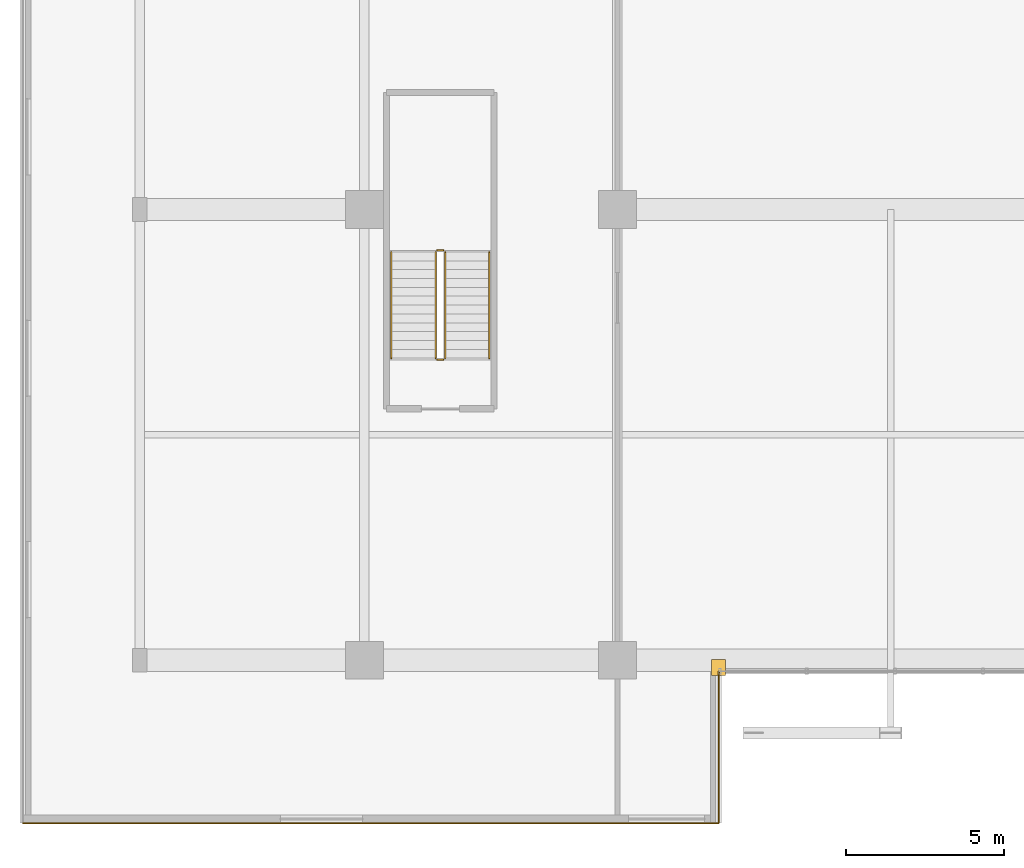
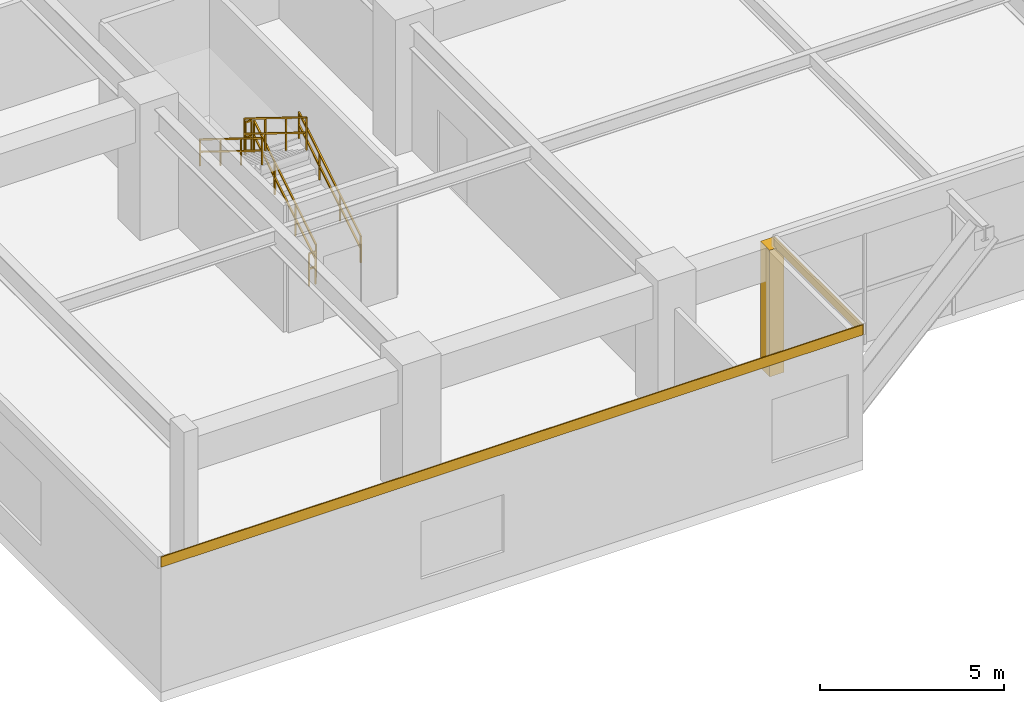
# One storey, part 19 of 24: 6 railings, 3 coverings.
"""IFC4 building model written with IfcOpenShell, lengths in metres."""

from ifc_helpers import new_model, si_unit, direction, frame, origin, origin_2d, place, context, subcontext, project, spatial, rectangle, extrude, source, transform, mapped, material, layer, layer_set, type_object, element, save


model = new_model("IFC4")

# Units and contexts
model_context = context("Model", 3, precision=1e-05, world=origin(), true_north=direction((0.0, 1.0)))
body_context = subcontext(model_context, "Body", "Model", "MODEL_VIEW")
ifc_project = project(units=[si_unit("LENGTHUNIT", "METRE"), si_unit("AREAUNIT", "SQUARE_METRE"), si_unit("VOLUMEUNIT", "CUBIC_METRE"), si_unit("PLANEANGLEUNIT", "RADIAN"), si_unit("MASSUNIT", "GRAM", prefix="KILO")], contexts=[model_context])

# Site, building, storey
site_placement = place(None, origin())
site = spatial("IfcSite", under=ifc_project, at=site_placement, CompositionType="ELEMENT")
building_placement = place(site_placement, origin())
building = spatial("IfcBuilding", under=site, at=building_placement, Name="Trelvane Seafront Commons", CompositionType="ELEMENT")
storey_placement = place(building_placement, frame((0.0, 0.0, 5.199951171875)))
storey = spatial("IfcBuildingStorey", under=building, at=storey_placement, Name="L01", CompositionType="ELEMENT", Elevation=5.199951171875)

# Railings
ifc_material_1 = material(Name="Stainless steel balustrade", Category="steel")
railing_type_1 = type_object("IfcRailingType", Name="ARCH-SRL-GUARD", PredefinedType="GUARDRAIL", material=ifc_material_1)
railing_1_placement = place(storey_placement, frame((10.14990234375, 13.5, 0.173095703125)))
element("IfcRailing", 1, at=railing_1_placement, inside=storey, type_object=railing_type_1, Name="L01 ST-3 stair guard 1", PredefinedType="GUARDRAIL", context=body_context, shape_type="SweptSolid", body=[
    extrude(rectangle(XDim=0.048095703125, YDim=0.048095703125, at=origin_2d()), frame((0.0, 0.0, 1.076171875), z_axis=(0.0, 0.850623216509, 0.525775754039), x_axis=(-1.0, 0.0, 0.0)), (0.0, 0.0, 1.0), 3.9501953125),
    extrude(rectangle(XDim=0.048095703125, YDim=0.048095703125, at=origin_2d()), frame((0.0, 0.0, 0.572021484375), z_axis=(0.0, 0.850623216509, 0.525775754039), x_axis=(-1.0, 0.0, 0.0)), (0.0, 0.0, 1.0), 3.9501953125),
    extrude(rectangle(XDim=0.0419921875, YDim=0.0419921875, at=origin_2d()), origin(), (0.0, 0.0, 1.0), 1.076171875),
    extrude(rectangle(XDim=0.0419921875, YDim=0.0419921875, at=origin_2d()), frame((0.0, 1.1201171875, 0.6923828125)), (0.0, 0.0, 1.0), 1.076171875),
    extrude(rectangle(XDim=0.0419921875, YDim=0.0419921875, at=origin_2d()), frame((0.0, 2.239990234375, 1.384521484375)), (0.0, 0.0, 1.0), 1.076171875),
    extrude(rectangle(XDim=0.0419921875, YDim=0.0419921875, at=origin_2d()), frame((0.0, 3.360107421875, 2.076904296875)), (0.0, 0.0, 1.0), 1.076171875),
])
railing_2_placement = place(storey_placement, frame((10.10009765625, 16.909912109375, 2.25)))
element("IfcRailing", 2, at=railing_2_placement, inside=storey, type_object=railing_type_1, Name="L01 ST-3 stair guard 2", PredefinedType="GUARDRAIL", context=body_context, shape_type="SweptSolid", body=[
    extrude(rectangle(XDim=0.048095703125, YDim=0.048095703125, at=origin_2d()), frame((0.0, 0.0, 1.076171875), z_axis=(-1.0, 0.0, 0.0), x_axis=(0.0, -1.0, 0.0)), (0.0, 0.0, 1.0), 0.2001953125),
    extrude(rectangle(XDim=0.048095703125, YDim=0.048095703125, at=origin_2d()), frame((0.0, 0.0, 0.572021484375), z_axis=(-1.0, 0.0, 0.0), x_axis=(0.0, -1.0, 0.0)), (0.0, 0.0, 1.0), 0.2001953125),
    extrude(rectangle(XDim=0.0419921875, YDim=0.0419921875, at=origin_2d()), origin(), (0.0, 0.0, 1.0), 1.076171875),
    extrude(rectangle(XDim=0.0419921875, YDim=0.0419921875, at=origin_2d()), frame((-0.2001953125, 0.0, 0.0)), (0.0, 0.0, 1.0), 1.076171875),
])
railing_3_placement = place(storey_placement, frame((9.85009765625, 16.860107421875, 2.423095703125)))
element("IfcRailing", 3, at=railing_3_placement, inside=storey, type_object=railing_type_1, Name="L01 ST-3 stair guard 3", PredefinedType="GUARDRAIL", context=body_context, shape_type="SweptSolid", body=[
    extrude(rectangle(XDim=0.048095703125, YDim=0.048095703125, at=origin_2d()), frame((0.0, 0.0, 1.076171875), z_axis=(0.0, -0.850623216509, 0.525775754039), x_axis=(1.0, 0.0, 0.0)), (0.0, 0.0, 1.0), 3.9501953125),
    extrude(rectangle(XDim=0.048095703125, YDim=0.048095703125, at=origin_2d()), frame((0.0, 0.0, 0.572021484375), z_axis=(0.0, -0.850623216509, 0.525775754039), x_axis=(1.0, 0.0, 0.0)), (0.0, 0.0, 1.0), 3.9501953125),
    extrude(rectangle(XDim=0.0419921875, YDim=0.0419921875, at=origin_2d()), origin(), (0.0, 0.0, 1.0), 1.076171875),
    extrude(rectangle(XDim=0.0419921875, YDim=0.0419921875, at=origin_2d()), frame((0.0, -1.1201171875, 0.6923828125)), (0.0, 0.0, 1.0), 1.076171875),
    extrude(rectangle(XDim=0.0419921875, YDim=0.0419921875, at=origin_2d()), frame((0.0, -2.239990234375, 1.384521484375)), (0.0, 0.0, 1.0), 1.076171875),
    extrude(rectangle(XDim=0.0419921875, YDim=0.0419921875, at=origin_2d()), frame((0.0, -3.360107421875, 2.076904296875)), (0.0, 0.0, 1.0), 1.076171875),
])
railing_4_placement = place(storey_placement, frame((10.10009765625, 13.449951171875, 0.0)))
element("IfcRailing", 4, at=railing_4_placement, inside=storey, type_object=railing_type_1, Name="L01 ST-3 stair guard 4", PredefinedType="GUARDRAIL", context=body_context, shape_type="SweptSolid", body=[
    extrude(rectangle(XDim=0.048095703125, YDim=0.048095703125, at=origin_2d()), frame((0.0, 0.0, 1.076171875), z_axis=(-1.0, 0.0, 0.0), x_axis=(0.0, -1.0, 0.0)), (0.0, 0.0, 1.0), 0.2001953125),
    extrude(rectangle(XDim=0.048095703125, YDim=0.048095703125, at=origin_2d()), frame((0.0, 0.0, 0.572021484375), z_axis=(-1.0, 0.0, 0.0), x_axis=(0.0, -1.0, 0.0)), (0.0, 0.0, 1.0), 0.2001953125),
    extrude(rectangle(XDim=0.0419921875, YDim=0.0419921875, at=origin_2d()), origin(), (0.0, 0.0, 1.0), 1.076171875),
    extrude(rectangle(XDim=0.0419921875, YDim=0.0419921875, at=origin_2d()), frame((-0.2001953125, 0.0, 0.0)), (0.0, 0.0, 1.0), 1.076171875),
])
railing_type_2 = type_object("IfcRailingType", Name="ARCH-SRL-HAND", PredefinedType="HANDRAIL", material=ifc_material_1)
railing_5_placement = place(storey_placement, frame((11.550048828125, 13.5, 0.173095703125)))
element("IfcRailing", 5, at=railing_5_placement, inside=storey, type_object=railing_type_2, Name="L01 ST-3 stair handrail 1", PredefinedType="HANDRAIL", context=body_context, shape_type="SweptSolid", body=[
    extrude(rectangle(XDim=0.048095703125, YDim=0.048095703125, at=origin_2d()), frame((0.0, 0.0, 0.8759765625), z_axis=(0.0, 0.850623216509, 0.525775754039), x_axis=(-1.0, 0.0, 0.0)), (0.0, 0.0, 1.0), 3.9501953125),
    extrude(rectangle(XDim=0.048095703125, YDim=0.048095703125, at=origin_2d()), frame((0.0, 0.0, 0.468017578125), z_axis=(0.0, 0.850623216509, 0.525775754039), x_axis=(-1.0, 0.0, 0.0)), (0.0, 0.0, 1.0), 3.9501953125),
    extrude(rectangle(XDim=0.0419921875, YDim=0.0419921875, at=origin_2d()), origin(), (0.0, 0.0, 1.0), 0.8759765625),
    extrude(rectangle(XDim=0.0419921875, YDim=0.0419921875, at=origin_2d()), frame((0.0, 1.1201171875, 0.6923828125)), (0.0, 0.0, 1.0), 0.8759765625),
    extrude(rectangle(XDim=0.0419921875, YDim=0.0419921875, at=origin_2d()), frame((0.0, 2.239990234375, 1.384521484375)), (0.0, 0.0, 1.0), 0.8759765625),
    extrude(rectangle(XDim=0.0419921875, YDim=0.0419921875, at=origin_2d()), frame((0.0, 3.360107421875, 2.076904296875)), (0.0, 0.0, 1.0), 0.8759765625),
])
railing_6_placement = place(storey_placement, frame((8.449951171875, 16.860107421875, 2.423095703125)))
element("IfcRailing", 6, at=railing_6_placement, inside=storey, type_object=railing_type_2, Name="L01 ST-3 stair handrail 2", PredefinedType="HANDRAIL", context=body_context, shape_type="SweptSolid", body=[
    extrude(rectangle(XDim=0.048095703125, YDim=0.048095703125, at=origin_2d()), frame((0.0, 0.0, 0.8759765625), z_axis=(0.0, -0.850623216509, 0.525775754039), x_axis=(1.0, 0.0, 0.0)), (0.0, 0.0, 1.0), 3.9501953125),
    extrude(rectangle(XDim=0.048095703125, YDim=0.048095703125, at=origin_2d()), frame((0.0, 0.0, 0.468017578125), z_axis=(0.0, -0.850623216509, 0.525775754039), x_axis=(1.0, 0.0, 0.0)), (0.0, 0.0, 1.0), 3.9501953125),
    extrude(rectangle(XDim=0.0419921875, YDim=0.0419921875, at=origin_2d()), origin(), (0.0, 0.0, 1.0), 0.8759765625),
    extrude(rectangle(XDim=0.0419921875, YDim=0.0419921875, at=origin_2d()), frame((0.0, -1.1201171875, 0.6923828125)), (0.0, 0.0, 1.0), 0.8759765625),
    extrude(rectangle(XDim=0.0419921875, YDim=0.0419921875, at=origin_2d()), frame((0.0, -2.239990234375, 1.384521484375)), (0.0, 0.0, 1.0), 0.8759765625),
    extrude(rectangle(XDim=0.0419921875, YDim=0.0419921875, at=origin_2d()), frame((0.0, -3.360107421875, 2.076904296875)), (0.0, 0.0, 1.0), 0.8759765625),
])

# Coverings
ifc_material_2 = material(Name="Anodised pale-silver aluminium", Category="aluminium")
ifc_layer = layer(ifc_material_2, 0.034912109375, Name="ARCH-COV-CLAD35")
ifc_layer_set = layer_set([ifc_layer], Name="Anodised pale-silver aluminium")
covering_type = type_object("IfcCoveringType", Name="ARCH-COV-CLAD35", PredefinedType="CLADDING", material=ifc_layer_set)
shared_shape_1 = source(origin(), body_context, "Body", "SweptSolid", [
    extrude(rectangle(XDim=22.0, YDim=0.034912109375, at=origin_2d()), origin(), (0.0, 0.0, 1.0), 0.340087890625),
])
covering_1_placement = place(storey_placement, frame((7.800048828125, -1.199951171875, 4.16015625), z_axis=(0.0, 0.0, 1.0), x_axis=(-1.0, 0.0, 0.0)))
element("IfcCovering", 7, at=covering_1_placement, inside=storey, type_object=covering_type, Name="CLD-L01-00011", PredefinedType="CLADDING", context=body_context, shape_type="MappedRepresentation", body=[
    mapped(shared_shape_1, transform((0.0, 0.0, 0.0), x_axis=(1.0, 0.0, 0.0), y_axis=(0.0, 1.0, 0.0), z_axis=(0.0, 0.0, 1.0), scale=1.0)),
])
shared_shape_2 = source(origin(), body_context, "Body", "SweptSolid", [
    extrude(rectangle(XDim=4.800048828125, YDim=0.034912109375, at=origin_2d()), origin(), (0.0, 0.0, 1.0), 0.340087890625),
])
covering_2_placement = place(storey_placement, frame((18.800048828125, 1.199951171875, 4.16015625), z_axis=(0.0, 0.0, 1.0), x_axis=(0.0, -1.0, 0.0)))
element("IfcCovering", 8, at=covering_2_placement, inside=storey, type_object=covering_type, Name="CLD-L01-00010", PredefinedType="CLADDING", context=body_context, shape_type="MappedRepresentation", body=[
    mapped(shared_shape_2, transform((0.0, 0.0, 0.0), x_axis=(1.0, 0.0, 0.0), y_axis=(0.0, 1.0, 0.0), z_axis=(0.0, 0.0, 1.0), scale=1.0)),
])
shared_shape_3 = source(origin(), body_context, "Body", "SweptSolid", [
    extrude(rectangle(XDim=0.449951171875, YDim=0.5, at=origin_2d()), origin(), (0.0, 0.0, 1.0), 4.199951171875),
])
covering_3_placement = place(storey_placement, frame((18.800048828125, 3.719970703125, 0.0), z_axis=(0.0, 0.0, 1.0), x_axis=(1.0, 0.0, 0.0)))
element("IfcCovering", 9, at=covering_3_placement, inside=storey, type_object=covering_type, Name="CLD-VPC-L01-00009", PredefinedType="CLADDING", context=body_context, shape_type="MappedRepresentation", body=[
    mapped(shared_shape_3, transform((0.0, 0.0, 0.0), x_axis=(1.0, 0.0, 0.0), y_axis=(0.0, 1.0, 0.0), z_axis=(0.0, 0.0, 1.0), scale=1.0)),
])

save(model, "model.ifc")
